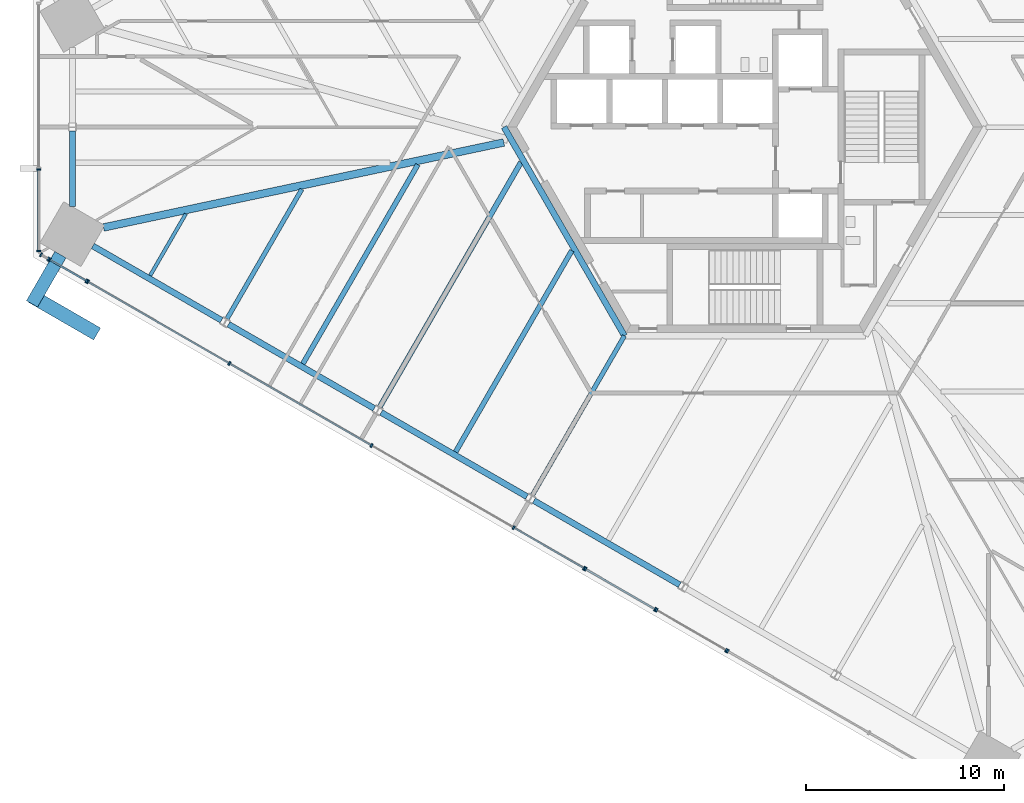
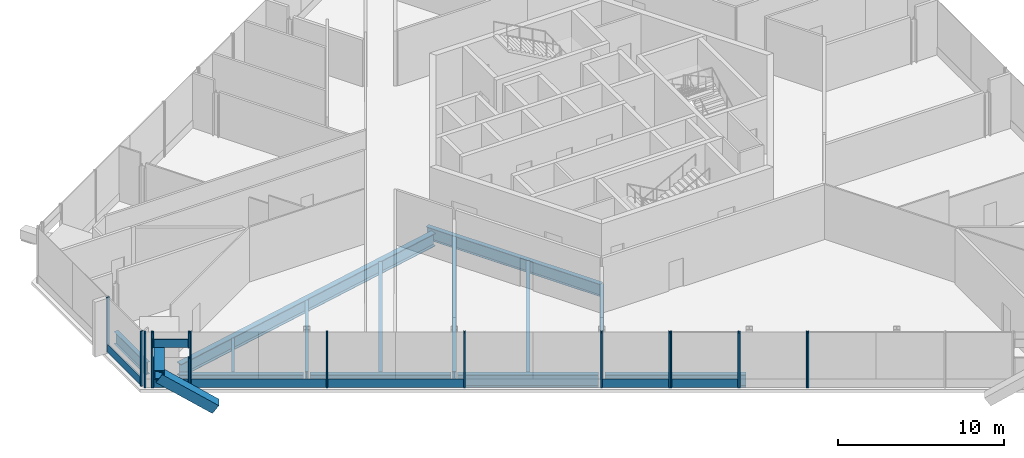
# One storey, part 3 of 22: 27 members, 13 beams, 8 elements without a shape of their own.
"""IFC4 building model written with IfcOpenShell, lengths in metres."""

from ifc_helpers import new_model, si_unit, direction, frame, origin, origin_2d, place, context, subcontext, project, spatial, rectangle, hollow_rectangle, i_section, extrude, source, transform, mapped, material, material_profile, profile_set, type_object, element, aggregate, save


model = new_model("IFC4")

# Units and contexts
model_context = context("Model", 3, precision=1e-05, world=origin(), true_north=direction((0.0, 1.0)))
body_context = subcontext(model_context, "Body", "Model", "MODEL_VIEW")
ifc_project = project(units=[si_unit("LENGTHUNIT", "METRE"), si_unit("AREAUNIT", "SQUARE_METRE"), si_unit("VOLUMEUNIT", "CUBIC_METRE"), si_unit("PLANEANGLEUNIT", "RADIAN"), si_unit("MASSUNIT", "GRAM", prefix="KILO")], contexts=[model_context])

# Site, building, storey
site_placement = place(None, origin())
site = spatial("IfcSite", under=ifc_project, at=site_placement, CompositionType="ELEMENT")
building_placement = place(site_placement, origin())
building = spatial("IfcBuilding", under=site, at=building_placement, Name="Triune Harvest Tower", CompositionType="ELEMENT")
storey_placement = place(building_placement, frame((0.0, 0.0, 50.39990234375)))
storey = spatial("IfcBuildingStorey", under=building, at=storey_placement, Name="L11", CompositionType="ELEMENT", Elevation=50.39990234375)

# Curtain wall, member
ifc_material_1 = material(Name="Aluminium bronze anodised", Category="aluminium")
curtain_wall_type_1 = type_object("IfcCurtainWallType", Name="CW-3 Farm floor curtain wall", PredefinedType="NOTDEFINED", material=ifc_material_1)
curtain_wall_1_placement = place(storey_placement, origin())
curtain_wall_1 = element("IfcCurtainWall", 1, at=curtain_wall_1_placement, inside=storey, type_object=curtain_wall_type_1, Name="CW-3 B1-F5 L11 run 301")
ifc_material_2 = material(Name="Aluminium bronze anodised", Category="aluminium")
ifc_material_profile_1 = material_profile(ifc_material_2, rectangle(XDim=0.090087890625, YDim=0.60009765625, at=origin_2d()), Name="TR-3 transom 90 x 600")
ifc_profile_set_1 = profile_set([ifc_material_profile_1], Name="Aluminium bronze anodised")
member_type_1 = type_object("IfcMemberType", Name="TR-3 transom 90 x 600", PredefinedType="USERDEFINED", material=ifc_profile_set_1)
member_1_placement = place(storey_placement, frame((-33.164306640625, -7.839599609375, 0.300048828125), z_axis=(0.866034375916, -0.49998445949, 0.0), x_axis=(0.49998445949, 0.866034375916, 0.0)))
member_1 = element("IfcMember", 2, at=member_1_placement, type_object=member_type_1, Name="CW-3 transom B1-F5 301.1", ObjectType="TRANSOM", PredefinedType="USERDEFINED", context=body_context, shape_type="SweptSolid", body=[
    extrude(rectangle(XDim=0.090087890625, YDim=0.60009765625, at=origin_2d()), origin(), (0.0, 0.0, 1.0), 8.173583984375),
])

# Beams
ifc_material_3 = material(Name="Steel ASTM A992 Gr 50", Category="steel")
ifc_material_profile_2 = material_profile(ifc_material_3, i_section(OverallWidth=0.3046875, OverallDepth=0.914306640625, WebThickness=0.0166015625, FlangeThickness=0.02587890625, at=origin_2d()), Name="W36x160")
ifc_profile_set_2 = profile_set([ifc_material_profile_2], Name="Steel ASTM A992 Gr 50")
beam_type_1 = type_object("IfcBeamType", Name="CG-1 Core ring girder W36x160", PredefinedType="BEAM", material=ifc_profile_set_2)
shared_shape_1 = source(origin(), body_context, "Body", "SweptSolid", [
    extrude(i_section(OverallWidth=0.3046875, OverallDepth=0.914306640625, WebThickness=0.0166015625, FlangeThickness=0.02587890625, at=origin_2d()), origin(), (0.0, 0.0, 1.0), 12.176025390625),
])
beam_1_placement = place(storey_placement, frame((-12.176025390625, 0.0, -0.656982421875), z_axis=(0.5000099932, -0.866019634131, 0.0), x_axis=(0.866019634131, 0.5000099932, 0.0)))
element("IfcBeam", 3, at=beam_1_placement, inside=storey, type_object=beam_type_1, Name="beam/L11/CG4", PredefinedType="BEAM", context=body_context, shape_type="MappedRepresentation", body=[
    mapped(shared_shape_1, transform((0.0, 0.0, 0.0), scale=1.0)),
])
ifc_material_4 = material(Name="Steel ASTM A992 Gr 50", Category="steel")
ifc_material_profile_3 = material_profile(ifc_material_4, i_section(OverallWidth=0.383544921875, OverallDepth=0.9423828125, WebThickness=0.022216796875, FlangeThickness=0.039794921875, at=origin_2d()), Name="W36x232")
ifc_profile_set_3 = profile_set([ifc_material_profile_3], Name="Steel ASTM A992 Gr 50")
beam_type_2 = type_object("IfcBeamType", Name="HG-1 Hip girder W36x232", PredefinedType="BEAM", material=ifc_profile_set_3)
shared_shape_2 = source(origin(), body_context, "Body", "SweptSolid", [
    extrude(i_section(OverallWidth=0.383544921875, OverallDepth=0.9423828125, WebThickness=0.022216796875, FlangeThickness=0.039794921875, at=origin_2d()), origin(), (0.0, 0.0, 1.0), 20.676025390625),
])
beam_2_placement = place(storey_placement, frame((-32.4091796875, -5.07470703125, -0.671142578125), z_axis=(0.978185071399, 0.207735327022, 0.0), x_axis=(-0.207735327022, 0.978185071399, 0.0)))
element("IfcBeam", 4, at=beam_2_placement, inside=storey, type_object=beam_type_2, Name="beam/L11/HG5", PredefinedType="BEAM", context=body_context, shape_type="MappedRepresentation", body=[
    mapped(shared_shape_2, transform((0.0, 0.0, 0.0), scale=1.0)),
])
ifc_material_5 = material(Name="Steel ASTM A992 Gr 50", Category="steel")
ifc_material_profile_4 = material_profile(ifc_material_5, i_section(OverallWidth=0.22900390625, OverallDepth=0.612060546875, WebThickness=0.011962890625, FlangeThickness=0.01953125, at=origin_2d()), Name="W24x84")
ifc_profile_set_4 = profile_set([ifc_material_profile_4], Name="Steel ASTM A992 Gr 50")
beam_type_3 = type_object("IfcBeamType", Name="JT-3 Floor joist W24x84", PredefinedType="JOIST", material=ifc_profile_set_4)
shared_shape_3 = source(origin(), body_context, "Body", "SweptSolid", [
    extrude(i_section(OverallWidth=0.22900390625, OverallDepth=0.612060546875, WebThickness=0.011962890625, FlangeThickness=0.01953125, at=origin_2d()), origin(), (0.0, 0.0, 1.0), 7.558349609375),
])
beam_3_placement = place(storey_placement, frame((-26.170654296875, -9.68896484375, -0.506103515625), z_axis=(0.499991809969, 0.866030132249, 0.0), x_axis=(-0.866030132249, 0.499991809969, 0.0)))
element("IfcBeam", 5, at=beam_3_placement, inside=storey, type_object=beam_type_3, Name="beam/L11/JT28", PredefinedType="JOIST", context=body_context, shape_type="MappedRepresentation", body=[
    mapped(shared_shape_3, transform((0.0, 0.0, 0.0), scale=1.0)),
])
ifc_material_6 = material(Name="Steel ASTM A992 Gr 50", Category="steel")
ifc_material_profile_5 = material_profile(ifc_material_6, i_section(OverallWidth=0.2666015625, OverallDepth=0.7568359375, WebThickness=0.013916015625, FlangeThickness=0.019287109375, at=origin_2d()), Name="W30x108")
ifc_profile_set_5 = profile_set([ifc_material_profile_5], Name="Steel ASTM A992 Gr 50")
beam_type_4 = type_object("IfcBeamType", Name="JT-5 Floor joist W30x108", PredefinedType="JOIST", material=ifc_profile_set_5)
shared_shape_4 = source(origin(), body_context, "Body", "SweptSolid", [
    extrude(i_section(OverallWidth=0.2666015625, OverallDepth=0.7568359375, WebThickness=0.013916015625, FlangeThickness=0.019287109375, at=origin_2d()), origin(), (0.0, 0.0, 1.0), 14.2685546875),
])
beam_4_placement = place(storey_placement, frame((-18.454345703125, -14.14404296875, -0.578369140625), z_axis=(0.499987083308, 0.866032861112, 0.0), x_axis=(-0.866032861112, 0.499987083308, 0.0)))
element("IfcBeam", 6, at=beam_4_placement, inside=storey, type_object=beam_type_4, Name="beam/L11/JT30", PredefinedType="JOIST", context=body_context, shape_type="MappedRepresentation", body=[
    mapped(shared_shape_4, transform((0.0, 0.0, 0.0), scale=1.0)),
])
shared_shape_5 = source(origin(), body_context, "Body", "SweptSolid", [
    extrude(i_section(OverallWidth=0.22900390625, OverallDepth=0.612060546875, WebThickness=0.011962890625, FlangeThickness=0.01953125, at=origin_2d()), origin(), (0.0, 0.0, 1.0), 9.300537109375),
])
beam_5_placement = place(storey_placement, frame((-10.738037109375, -18.59912109375, -0.506103515625), z_axis=(0.49999285859, 0.86602952684, 0.0), x_axis=(-0.86602952684, 0.49999285859, 0.0)))
element("IfcBeam", 7, at=beam_5_placement, inside=storey, type_object=beam_type_3, Name="beam/L11/JT32", PredefinedType="JOIST", context=body_context, shape_type="MappedRepresentation", body=[
    mapped(shared_shape_5, transform((0.0, 0.0, 0.0), scale=1.0)),
])
ifc_material_7 = material(Name="Steel ASTM A992 Gr 50", Category="steel")
ifc_material_profile_6 = material_profile(ifc_material_7, i_section(OverallWidth=0.3046875, OverallDepth=0.914306640625, WebThickness=0.0166015625, FlangeThickness=0.02587890625, at=origin_2d()), Name="W36x160")
ifc_profile_set_6 = profile_set([ifc_material_profile_6], Name="Steel ASTM A992 Gr 50")
beam_type_5 = type_object("IfcBeamType", Name="SB-1 Spandrel beam W36x160", PredefinedType="SPANDREL", material=ifc_profile_set_6)
shared_shape_6 = source(origin(), body_context, "Body", "SweptSolid", [
    extrude(i_section(OverallWidth=0.3046875, OverallDepth=0.914306640625, WebThickness=0.0166015625, FlangeThickness=0.02587890625, at=origin_2d()), origin(), (0.0, 0.0, 1.0), 7.508056640625),
])
beam_6_placement = place(storey_placement, frame((-32.949462890625, -6.010009765625, -0.656982421875), z_axis=(0.866033425553, -0.499986105632, 0.0), x_axis=(0.499986105632, 0.866033425553, 0.0)))
element("IfcBeam", 8, at=beam_6_placement, inside=storey, type_object=beam_type_5, Name="beam/L11/SB17", PredefinedType="SPANDREL", context=body_context, shape_type="MappedRepresentation", body=[
    mapped(shared_shape_6, transform((0.0, 0.0, 0.0), scale=1.0)),
])
shared_shape_7 = source(origin(), body_context, "Body", "SweptSolid", [
    extrude(i_section(OverallWidth=0.3046875, OverallDepth=0.914306640625, WebThickness=0.0166015625, FlangeThickness=0.02587890625, at=origin_2d()), origin(), (0.0, 0.0, 1.0), 8.506103515625),
])
for number, where, z_axis, x_axis, name in (
    (9, (-26.097412109375, -9.966064453125, -0.656982421875), (0.866030246746, -0.49999161165, 0.0), (0.49999161165, 0.866030246746, 0.0), "beam/L11/SB18"),
    (10, (-18.381103515625, -14.4208984375, -0.656982421875), (0.866017818397, -0.500013138047, 0.0), (0.500013138047, 0.866017818397, 0.0), "beam/L11/SB19"),
    (11, (-10.664794921875, -18.8759765625, -0.656982421875), (0.866030246746, -0.49999161165, 0.0), (0.49999161165, 0.866030246746, 0.0), "beam/L11/SB20"),
):
    element("IfcBeam", number, at=place(storey_placement, frame(where, z_axis=z_axis, x_axis=x_axis)), inside=storey, type_object=beam_type_5, Name=name, PredefinedType="SPANDREL", context=body_context, shape_type="MappedRepresentation", body=[
        mapped(shared_shape_7, transform((0.0, 0.0, 0.0), scale=1.0)),
    ])
shared_shape_8 = source(origin(), body_context, "Body", "SweptSolid", [
    extrude(i_section(OverallWidth=0.3046875, OverallDepth=0.914306640625, WebThickness=0.0166015625, FlangeThickness=0.02587890625, at=origin_2d()), origin(), (0.0, 0.0, 1.0), 3.822509765625),
])
beam_7_placement = place(storey_placement, frame((-33.988525390625, -0.201904296875, -0.656982421875), z_axis=(0.0, -1.0, 0.0), x_axis=(1.0, 0.0, 0.0)))
element("IfcBeam", 12, at=beam_7_placement, inside=storey, type_object=beam_type_5, Name="beam/L11/SB16", PredefinedType="SPANDREL", context=body_context, shape_type="MappedRepresentation", body=[
    mapped(shared_shape_8, transform((0.0, 0.0, 0.0), scale=1.0)),
])
ifc_material_8 = material(Name="Steel ASTM A992 Gr 50", Category="steel")
ifc_material_profile_7 = material_profile(ifc_material_8, i_section(OverallWidth=0.253662109375, OverallDepth=0.683349609375, WebThickness=0.012451171875, FlangeThickness=0.01904296875, at=origin_2d()), Name="W27x94")
ifc_profile_set_7 = profile_set([ifc_material_profile_7], Name="Steel ASTM A992 Gr 50")
beam_type_6 = type_object("IfcBeamType", Name="JT-4 Floor joist W27x94", PredefinedType="JOIST", material=ifc_profile_set_7)
shared_shape_9 = source(origin(), body_context, "Body", "SweptSolid", [
    extrude(i_section(OverallWidth=0.253662109375, OverallDepth=0.683349609375, WebThickness=0.012451171875, FlangeThickness=0.01904296875, at=origin_2d()), origin(), (0.0, 0.0, 1.0), 11.618896484375),
])
beam_8_placement = place(storey_placement, frame((-22.337890625, -11.96044921875, -0.54150390625), z_axis=(0.500008015982, 0.866020775706, 0.0), x_axis=(-0.866020775706, 0.500008015982, 0.0)))
element("IfcBeam", 13, at=beam_8_placement, inside=storey, type_object=beam_type_6, Name="beam/L11/JT29", PredefinedType="JOIST", context=body_context, shape_type="MappedRepresentation", body=[
    mapped(shared_shape_9, transform((0.0, 0.0, 0.0), scale=1.0)),
])
shared_shape_10 = source(origin(), body_context, "Body", "SweptSolid", [
    extrude(i_section(OverallWidth=0.253662109375, OverallDepth=0.683349609375, WebThickness=0.012451171875, FlangeThickness=0.01904296875, at=origin_2d()), origin(), (0.0, 0.0, 1.0), 11.7470703125),
])
beam_9_placement = place(storey_placement, frame((-14.62158203125, -16.41552734375, -0.54150390625), z_axis=(0.49999710518, 0.866027075103, 0.0), x_axis=(-0.866027075103, 0.49999710518, 0.0)))
element("IfcBeam", 14, at=beam_9_placement, inside=storey, type_object=beam_type_6, Name="beam/L11/JT31", PredefinedType="JOIST", context=body_context, shape_type="MappedRepresentation", body=[
    mapped(shared_shape_10, transform((0.0, 0.0, 0.0), scale=1.0)),
])
ifc_material_9 = material(Name="Steel ASTM A992 Gr 50", Category="steel")
ifc_material_profile_8 = material_profile(ifc_material_9, i_section(OverallWidth=0.180908203125, OverallDepth=0.41650390625, WebThickness=0.010986328125, FlangeThickness=0.01806640625, at=origin_2d()), Name="W16x57")
ifc_profile_set_8 = profile_set([ifc_material_profile_8], Name="Steel ASTM A992 Gr 50")
beam_type_7 = type_object("IfcBeamType", Name="JT-1 Floor joist W16x57", PredefinedType="JOIST", material=ifc_profile_set_8)
shared_shape_11 = source(origin(), body_context, "Body", "SweptSolid", [
    extrude(i_section(OverallWidth=0.180908203125, OverallDepth=0.41650390625, WebThickness=0.010986328125, FlangeThickness=0.01806640625, at=origin_2d()), origin(), (0.0, 0.0, 1.0), 3.599609375),
])
beam_10_placement = place(storey_placement, frame((-30.05419921875, -7.505615234375, -0.408203125), z_axis=(0.499990559667, 0.866030854095, 0.0), x_axis=(-0.866030854095, 0.499990559667, 0.0)))
element("IfcBeam", 15, at=beam_10_placement, inside=storey, type_object=beam_type_7, Name="beam/L11/JT27", PredefinedType="JOIST", context=body_context, shape_type="MappedRepresentation", body=[
    mapped(shared_shape_11, transform((0.0, 0.0, 0.0), scale=1.0)),
])

# Members
ifc_material_10 = material(Name="Steel ASTM A572 Gr 50", Category="steel")
ifc_material_profile_9 = material_profile(ifc_material_10, hollow_rectangle(XDim=0.699951171875, YDim=0.699951171875, WallThickness=0.0400390625, at=origin_2d()), Name="Box 700x700x40")
ifc_profile_set_9 = profile_set([ifc_material_profile_9], Name="Steel ASTM A572 Gr 50")
member_type_2 = type_object("IfcMemberType", Name="BR-1 Brace Box 700x700x40", PredefinedType="BRACE", material=ifc_profile_set_9)
shared_shape_12 = source(origin(), body_context, "Body", "SweptSolid", [
    extrude(hollow_rectangle(XDim=0.699951171875, YDim=0.699951171875, WallThickness=0.0400390625, at=origin_2d()), origin(), (0.0, 0.0, 1.0), 4.109375),
])
member_2_placement = place(storey_placement, frame((-32.902587890625, -10.35791015625, 0.0), z_axis=(-0.719594964272, 0.415466280148, 0.556390921434), x_axis=(-0.500007161152, -0.866021269252, 0.0)))
element("IfcMember", 16, at=member_2_placement, inside=storey, type_object=member_type_2, Name="brace/B1-F5/d2/9", PredefinedType="BRACE", context=body_context, shape_type="MappedRepresentation", body=[
    mapped(shared_shape_12, transform((0.0, 0.0, 0.0), scale=1.0)),
])
ifc_material_11 = material(Name="Steel ASTM A572 Gr 50", Category="steel")
ifc_material_profile_10 = material_profile(ifc_material_11, hollow_rectangle(XDim=0.64990234375, YDim=0.64990234375, WallThickness=0.070068359375, at=origin_2d()), Name="Box 650x650x70")
ifc_profile_set_10 = profile_set([ifc_material_profile_10], Name="Steel ASTM A572 Gr 50")
member_type_3 = type_object("IfcMemberType", Name="BS-1 Brace stub Box 650x650x70", PredefinedType="STRUT", material=ifc_profile_set_10)
shared_shape_13 = source(origin(), body_context, "Body", "SweptSolid", [
    extrude(hollow_rectangle(XDim=0.64990234375, YDim=0.64990234375, WallThickness=0.070068359375, at=origin_2d()), origin(), (0.0, 0.0, 1.0), 2.871826171875),
])
member_3_placement = place(storey_placement, frame((-34.588623046875, -6.44921875, 2.550048828125), z_axis=(-0.499970211122, -0.866042601718, 0.0), x_axis=(0.866042601718, -0.499970211122, 0.0)))
element("IfcMember", 17, at=member_3_placement, inside=storey, type_object=member_type_3, Name="brace/B1-F5/stub4", PredefinedType="STRUT", context=body_context, shape_type="MappedRepresentation", body=[
    mapped(shared_shape_13, transform((0.0, 0.0, 0.0), scale=1.0)),
])

# Curtain wall, member
ifc_material_12 = material(Name="Aluminium bronze anodised", Category="aluminium")
curtain_wall_type_2 = type_object("IfcCurtainWallType", Name="CW-8 Farm floor curtain wall with insulated spandrel infill", PredefinedType="NOTDEFINED", material=ifc_material_12)
curtain_wall_2_placement = place(storey_placement, origin())
curtain_wall_2 = element("IfcCurtainWall", 18, at=curtain_wall_2_placement, inside=storey, type_object=curtain_wall_type_2, Name="CW-8 B1-F4 L11 run 1001")
shared_shape_14 = source(origin(), body_context, "Body", "SweptSolid", [
    extrude(rectangle(XDim=0.090087890625, YDim=0.60009765625, at=origin_2d()), origin(), (0.0, 0.0, 1.0), 4.037841796875),
])
member_4_placement = place(storey_placement, frame((-35.680419921875, -2.178955078125, 0.300048828125), z_axis=(0.0, -1.0, 0.0), x_axis=(1.0, 0.0, 0.0)))
member_4 = element("IfcMember", 19, at=member_4_placement, type_object=member_type_1, Name="CW-8 transom B1-F4 1001.1", ObjectType="TRANSOM", PredefinedType="USERDEFINED", context=body_context, shape_type="MappedRepresentation", body=[
    mapped(shared_shape_14, transform((0.0, 0.0, 0.0), scale=1.0)),
])

# Curtain wall, members
curtain_wall_3_placement = place(storey_placement, origin())
curtain_wall_3 = element("IfcCurtainWall", 20, at=curtain_wall_3_placement, inside=storey, type_object=curtain_wall_type_1, Name="CW-3 B1-F5 L11 run 101")
ifc_material_13 = material(Name="Aluminium bronze anodised", Category="aluminium")
ifc_material_profile_11 = material_profile(ifc_material_13, rectangle(XDim=0.199951171875, YDim=0.080078125, at=origin_2d()), Name="MU-3 mullion 80 x 200")
ifc_profile_set_11 = profile_set([ifc_material_profile_11], Name="Aluminium bronze anodised")
member_type_4 = type_object("IfcMemberType", Name="MU-3 mullion 80 x 200", PredefinedType="MULLION", material=ifc_profile_set_11)
shared_shape_15 = source(origin(), body_context, "Body", "SweptSolid", [
    extrude(rectangle(XDim=0.199951171875, YDim=0.080078125, at=origin_2d()), origin(), (0.0, 0.0, 1.0), 2.1650390625),
])
member_5_placement = place(storey_placement, frame((-35.13330078125, -6.70263671875, 0.0), z_axis=(0.0, 0.0, 1.0), x_axis=(0.499991148709, 0.86603051402, 0.0)))
member_5 = element("IfcMember", 21, at=member_5_placement, type_object=member_type_4, Name="CW-3 mullion B1-F5 101.1", PredefinedType="MULLION", context=body_context, shape_type="MappedRepresentation", body=[
    mapped(shared_shape_15, transform((0.0, 0.0, 0.0), scale=1.0)),
])
member_6_placement = place(storey_placement, frame((-33.268310546875, -7.779541015625, 0.0), z_axis=(0.0, 0.0, 1.0), x_axis=(0.499991148709, 0.86603051402, 0.0)))
member_6 = element("IfcMember", 22, at=member_6_placement, type_object=member_type_4, Name="CW-3 mullion B1-F5 101.2", PredefinedType="MULLION", context=body_context, shape_type="MappedRepresentation", body=[
    mapped(shared_shape_15, transform((0.0, 0.0, 0.0), scale=1.0)),
])

curtain_wall_4_placement = place(storey_placement, origin())
curtain_wall_4 = element("IfcCurtainWall", 23, at=curtain_wall_4_placement, inside=storey, type_object=curtain_wall_type_1, Name="CW-3 B1-F5 L11 run 201")
shared_shape_16 = source(origin(), body_context, "Body", "SweptSolid", [
    extrude(rectangle(XDim=0.199951171875, YDim=0.080078125, at=origin_2d()), origin(), (0.0, 0.0, 1.0), 1.114990234375),
])
member_7_placement = place(storey_placement, frame((-35.13330078125, -6.70263671875, 2.93505859375), z_axis=(0.0, 0.0, 1.0), x_axis=(0.499991148709, 0.86603051402, 0.0)))
member_7 = element("IfcMember", 24, at=member_7_placement, type_object=member_type_4, Name="CW-3 mullion B1-F5 201.1", PredefinedType="MULLION", context=body_context, shape_type="MappedRepresentation", body=[
    mapped(shared_shape_16, transform((0.0, 0.0, 0.0), scale=1.0)),
])
member_8_placement = place(storey_placement, frame((-33.268310546875, -7.779541015625, 2.93505859375), z_axis=(0.0, 0.0, 1.0), x_axis=(0.499991148709, 0.86603051402, 0.0)))
member_8 = element("IfcMember", 25, at=member_8_placement, type_object=member_type_4, Name="CW-3 mullion B1-F5 201.2", PredefinedType="MULLION", context=body_context, shape_type="MappedRepresentation", body=[
    mapped(shared_shape_16, transform((0.0, 0.0, 0.0), scale=1.0)),
])

# Member
shared_shape_17 = source(origin(), body_context, "Body", "SweptSolid", [
    extrude(rectangle(XDim=0.199951171875, YDim=0.080078125, at=origin_2d()), origin(), (0.0, 0.0, 1.0), 4.050048828125),
])
member_9_placement = place(storey_placement, frame((-35.680419921875, -2.138916015625, 0.0), z_axis=(0.0, 0.0, 1.0), x_axis=(1.0, 0.0, 0.0)))
member_9 = element("IfcMember", 26, at=member_9_placement, type_object=member_type_4, Name="CW-8 mullion B1-F4 1001.1", PredefinedType="MULLION", context=body_context, shape_type="MappedRepresentation", body=[
    mapped(shared_shape_17, transform((0.0, 0.0, 0.0), scale=1.0)),
])

member_10_placement = place(storey_placement, frame((-35.680419921875, -6.2568359375, 0.0), z_axis=(0.0, 0.0, 1.0), x_axis=(1.0, 0.0, 0.0)))
member_10 = element("IfcMember", 27, at=member_10_placement, type_object=member_type_4, Name="CW-8 mullion B1-F4 1001.2", PredefinedType="MULLION", context=body_context, shape_type="MappedRepresentation", body=[
    mapped(shared_shape_17, transform((0.0, 0.0, 0.0), scale=1.0)),
])

aggregate(curtain_wall_2, [member_9, member_10, member_4])

# Curtain wall, members
curtain_wall_5_placement = place(storey_placement, origin())
curtain_wall_5 = element("IfcCurtainWall", 28, at=curtain_wall_5_placement, inside=storey, type_object=curtain_wall_type_1, Name="CW-3 B1-F5 L11 run 1")
member_11_placement = place(storey_placement, frame((-35.56787109375, -6.451904296875, 0.0), z_axis=(0.0, 0.0, 1.0), x_axis=(0.499975448906, 0.866039577901, 0.0)))
member_11 = element("IfcMember", 29, at=member_11_placement, type_object=member_type_4, Name="CW-3 mullion B1-F5 1.1", PredefinedType="MULLION", context=body_context, shape_type="MappedRepresentation", body=[
    mapped(shared_shape_17, transform((0.0, 0.0, 0.0), scale=1.0)),
])
member_12_placement = place(storey_placement, frame((-35.20263671875, -6.66259765625, 0.0), z_axis=(0.0, 0.0, 1.0), x_axis=(0.499975448906, 0.866039577901, 0.0)))
member_12 = element("IfcMember", 30, at=member_12_placement, type_object=member_type_4, Name="CW-3 mullion B1-F5 1.2", PredefinedType="MULLION", context=body_context, shape_type="MappedRepresentation", body=[
    mapped(shared_shape_17, transform((0.0, 0.0, 0.0), scale=1.0)),
])
aggregate(curtain_wall_5, [member_11, member_12])

# Member
member_13_placement = place(storey_placement, frame((-33.198974609375, -7.819580078125, 0.0), z_axis=(0.0, 0.0, 1.0), x_axis=(0.499999382824, 0.866025760111, 0.0)))
member_13 = element("IfcMember", 31, at=member_13_placement, type_object=member_type_4, Name="CW-3 mullion B1-F5 301.1", PredefinedType="MULLION", context=body_context, shape_type="MappedRepresentation", body=[
    mapped(shared_shape_17, transform((0.0, 0.0, 0.0), scale=1.0)),
])

member_14_placement = place(storey_placement, frame((-26.051025390625, -11.9462890625, 0.0), z_axis=(0.0, 0.0, 1.0), x_axis=(0.499999382824, 0.866025760111, 0.0)))
member_14 = element("IfcMember", 32, at=member_14_placement, type_object=member_type_4, Name="CW-3 mullion B1-F5 301.3", PredefinedType="MULLION", context=body_context, shape_type="MappedRepresentation", body=[
    mapped(shared_shape_17, transform((0.0, 0.0, 0.0), scale=1.0)),
])

member_15_placement = place(storey_placement, frame((-18.868408203125, -16.09326171875, 0.0), z_axis=(0.0, 0.0, 1.0), x_axis=(0.499999382824, 0.866025760111, 0.0)))
member_15 = element("IfcMember", 33, at=member_15_placement, type_object=member_type_4, Name="CW-3 mullion B1-F5 301.5", PredefinedType="MULLION", context=body_context, shape_type="MappedRepresentation", body=[
    mapped(shared_shape_17, transform((0.0, 0.0, 0.0), scale=1.0)),
])

member_16_placement = place(storey_placement, frame((-11.685791015625, -20.240234375, 0.0), z_axis=(0.0, 0.0, 1.0), x_axis=(0.499999382824, 0.866025760111, 0.0)))
member_16 = element("IfcMember", 34, at=member_16_placement, type_object=member_type_4, Name="CW-3 mullion B1-F5 301.7", PredefinedType="MULLION", context=body_context, shape_type="MappedRepresentation", body=[
    mapped(shared_shape_17, transform((0.0, 0.0, 0.0), scale=1.0)),
])

member_17_placement = place(storey_placement, frame((-8.129150390625, -22.293701171875, 0.0), z_axis=(0.0, 0.0, 1.0), x_axis=(0.499999382824, 0.866025760111, 0.0)))
member_17 = element("IfcMember", 35, at=member_17_placement, type_object=member_type_4, Name="CW-3 mullion B1-F5 301.8", PredefinedType="MULLION", context=body_context, shape_type="MappedRepresentation", body=[
    mapped(shared_shape_17, transform((0.0, 0.0, 0.0), scale=1.0)),
])

# Curtain wall, members
curtain_wall_6_placement = place(storey_placement, origin())
curtain_wall_6 = element("IfcCurtainWall", 36, at=curtain_wall_6_placement, inside=storey, type_object=curtain_wall_type_2, Name="CW-8 B1-F5 L11 run 1301")
member_18_placement = place(storey_placement, frame((-8.059814453125, -22.33349609375, 0.0), z_axis=(0.0, 0.0, 1.0), x_axis=(0.500011209208, 0.866018932048, 0.0)))
member_18 = element("IfcMember", 37, at=member_18_placement, type_object=member_type_4, Name="CW-8 mullion B1-F5 1301.1", PredefinedType="MULLION", context=body_context, shape_type="MappedRepresentation", body=[
    mapped(shared_shape_17, transform((0.0, 0.0, 0.0), scale=1.0)),
])
member_19_placement = place(storey_placement, frame((-4.537841796875, -24.3671875, 0.0), z_axis=(0.0, 0.0, 1.0), x_axis=(0.500011209208, 0.866018932048, 0.0)))
member_19 = element("IfcMember", 38, at=member_19_placement, type_object=member_type_4, Name="CW-8 mullion B1-F5 1301.2", PredefinedType="MULLION", context=body_context, shape_type="MappedRepresentation", body=[
    mapped(shared_shape_17, transform((0.0, 0.0, 0.0), scale=1.0)),
])

curtain_wall_7_placement = place(storey_placement, origin())
curtain_wall_7 = element("IfcCurtainWall", 39, at=curtain_wall_7_placement, inside=storey, type_object=curtain_wall_type_1, Name="CW-3 B1-F5 L11 run 2301")
member_20_placement = place(storey_placement, frame((-4.468505859375, -24.406982421875, 0.0), z_axis=(0.0, 0.0, 1.0), x_axis=(0.499993123372, 0.866029373971, 0.0)))
member_20 = element("IfcMember", 40, at=member_20_placement, type_object=member_type_4, Name="CW-3 mullion B1-F5 2301.1", PredefinedType="MULLION", context=body_context, shape_type="MappedRepresentation", body=[
    mapped(shared_shape_17, transform((0.0, 0.0, 0.0), scale=1.0)),
])
member_21_placement = place(storey_placement, frame((-0.946533203125, -26.4404296875, 0.0), z_axis=(0.0, 0.0, 1.0), x_axis=(0.499993123372, 0.866029373971, 0.0)))
member_21 = element("IfcMember", 41, at=member_21_placement, type_object=member_type_4, Name="CW-3 mullion B1-F5 2301.2", PredefinedType="MULLION", context=body_context, shape_type="MappedRepresentation", body=[
    mapped(shared_shape_17, transform((0.0, 0.0, 0.0), scale=1.0)),
])
aggregate(curtain_wall_7, [member_20, member_21])

# Curtain wall, member
curtain_wall_8_placement = place(storey_placement, origin())
curtain_wall_8 = element("IfcCurtainWall", 42, at=curtain_wall_8_placement, inside=storey, type_object=curtain_wall_type_2, Name="CW-8 B1-F5 L11 run 3301")
member_22_placement = place(storey_placement, frame((-0.877197265625, -26.48046875, 0.0), z_axis=(0.0, 0.0, 1.0), x_axis=(0.500001700043, 0.866024422262, 0.0)))
member_22 = element("IfcMember", 43, at=member_22_placement, type_object=member_type_4, Name="CW-8 mullion B1-F5 3301.1", PredefinedType="MULLION", context=body_context, shape_type="MappedRepresentation", body=[
    mapped(shared_shape_17, transform((0.0, 0.0, 0.0), scale=1.0)),
])
aggregate(curtain_wall_8, [member_22])

# Member
shared_shape_18 = source(origin(), body_context, "Body", "SweptSolid", [
    extrude(rectangle(XDim=0.090087890625, YDim=0.60009765625, at=origin_2d()), origin(), (0.0, 0.0, 1.0), 8.2138671875),
])
member_23_placement = place(storey_placement, frame((-26.016357421875, -11.96630859375, 0.300048828125), z_axis=(0.866021252249, -0.500007190601, 0.0), x_axis=(0.500007190601, 0.866021252249, 0.0)))
member_23 = element("IfcMember", 44, at=member_23_placement, type_object=member_type_1, Name="CW-3 transom B1-F5 301.2", ObjectType="TRANSOM", PredefinedType="USERDEFINED", context=body_context, shape_type="MappedRepresentation", body=[
    mapped(shared_shape_18, transform((0.0, 0.0, 0.0), scale=1.0)),
])

shared_shape_19 = source(origin(), body_context, "Body", "SweptSolid", [
    extrude(rectangle(XDim=0.090087890625, YDim=0.60009765625, at=origin_2d()), origin(), (0.0, 0.0, 1.0), 3.987060546875),
])
member_24_placement = place(storey_placement, frame((-8.025146484375, -22.353515625, 0.300048828125), z_axis=(0.866011214418, -0.500024575899, 0.0), x_axis=(0.500024575899, 0.866011214418, 0.0)))
member_24 = element("IfcMember", 45, at=member_24_placement, type_object=member_type_1, Name="CW-8 transom B1-F5 1301.1", ObjectType="TRANSOM", PredefinedType="USERDEFINED", context=body_context, shape_type="MappedRepresentation", body=[
    mapped(shared_shape_19, transform((0.0, 0.0, 0.0), scale=1.0)),
])

aggregate(curtain_wall_6, [member_18, member_19, member_24])

shared_shape_20 = source(origin(), body_context, "Body", "SweptSolid", [
    extrude(rectangle(XDim=0.090087890625, YDim=0.60009765625, at=origin_2d()), origin(), (0.0, 0.0, 1.0), 4.027099609375),
])
member_25_placement = place(storey_placement, frame((-11.651123046875, -20.26025390625, 0.300048828125), z_axis=(0.866037179922, -0.499979602577, 0.0), x_axis=(0.499979602577, 0.866037179922, 0.0)))
member_25 = element("IfcMember", 46, at=member_25_placement, type_object=member_type_1, Name="CW-3 transom B1-F5 301.4", ObjectType="TRANSOM", PredefinedType="USERDEFINED", context=body_context, shape_type="MappedRepresentation", body=[
    mapped(shared_shape_20, transform((0.0, 0.0, 0.0), scale=1.0)),
])

aggregate(curtain_wall_1, [member_13, member_14, member_15, member_16, member_17, member_1, member_23, member_25])

shared_shape_21 = source(origin(), body_context, "Body", "SweptSolid", [
    extrude(rectangle(XDim=0.090087890625, YDim=0.60009765625, at=origin_2d()), origin(), (0.0, 0.0, 1.0), 2.073486328125),
])
member_26_placement = place(storey_placement, frame((-35.0986328125, -6.72265625, 0.300048828125), z_axis=(0.865995384394, -0.500051991505, 0.0), x_axis=(0.500051991505, 0.865995384394, 0.0)))
member_26 = element("IfcMember", 47, at=member_26_placement, type_object=member_type_1, Name="CW-3 transom B1-F5 101.1", ObjectType="TRANSOM", PredefinedType="USERDEFINED", context=body_context, shape_type="MappedRepresentation", body=[
    mapped(shared_shape_21, transform((0.0, 0.0, 0.0), scale=1.0)),
])

aggregate(curtain_wall_3, [member_5, member_6, member_26])

member_27_placement = place(storey_placement, frame((-35.0986328125, -6.72265625, 3.235107421875), z_axis=(0.865995384394, -0.500051991505, 0.0), x_axis=(0.500051991505, 0.865995384394, 0.0)))
member_27 = element("IfcMember", 48, at=member_27_placement, type_object=member_type_1, Name="CW-3 transom B1-F5 201.1", ObjectType="TRANSOM", PredefinedType="USERDEFINED", context=body_context, shape_type="MappedRepresentation", body=[
    mapped(shared_shape_21, transform((0.0, 0.0, 0.0), scale=1.0)),
])

aggregate(curtain_wall_4, [member_7, member_8, member_27])

save(model, "model.ifc")
